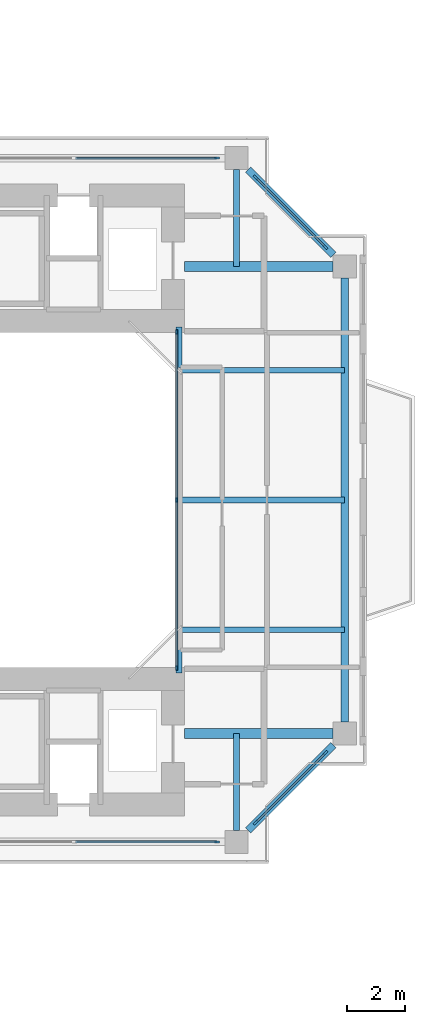
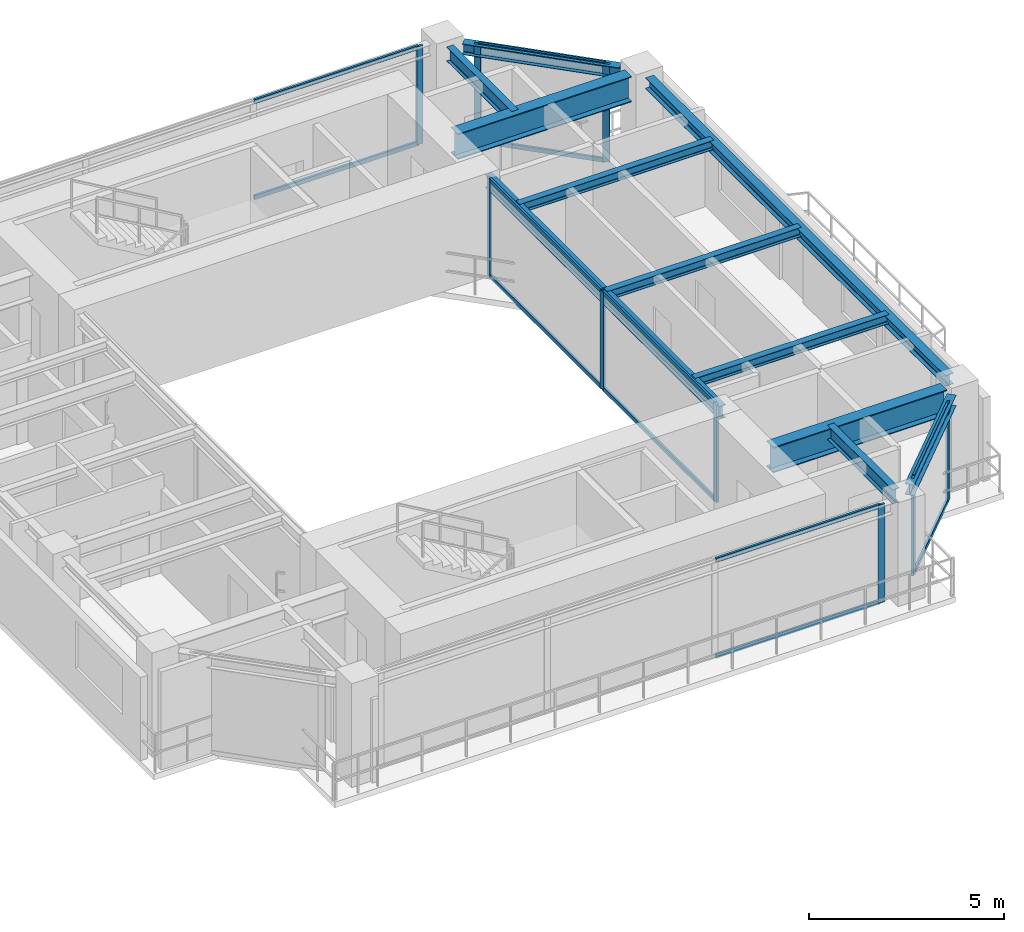
# One storey, part 10 of 23: 21 members, 11 beams, 5 elements without a shape of their own.
"""IFC4 building model written with IfcOpenShell, lengths in metres."""

from ifc_helpers import new_model, si_unit, direction, frame, origin, origin_2d, place, context, subcontext, project, spatial, rectangle, i_section, extrude, source, transform, mapped, material, layer, layer_set, material_profile, profile_set, type_object, element, aggregate, save


model = new_model("IFC4")

# Units and contexts
model_context = context("Model", 3, precision=1e-05, world=origin(), true_north=direction((0.0, 1.0)))
body_context = subcontext(model_context, "Body", "Model", "MODEL_VIEW")
ifc_project = project(units=[si_unit("LENGTHUNIT", "METRE"), si_unit("AREAUNIT", "SQUARE_METRE"), si_unit("VOLUMEUNIT", "CUBIC_METRE"), si_unit("PLANEANGLEUNIT", "RADIAN"), si_unit("MASSUNIT", "GRAM", prefix="KILO"), si_unit("THERMODYNAMICTEMPERATUREUNIT", "KELVIN"), si_unit("POWERUNIT", "WATT")], contexts=[model_context])

# Site, building, storey
site_placement = place(None, origin())
site = spatial("IfcSite", under=ifc_project, at=site_placement, CompositionType="ELEMENT")
building_placement = place(site_placement, origin())
building = spatial("IfcBuilding", under=site, at=building_placement, Name="Qiaomeng Ring Towers", CompositionType="ELEMENT")
storey_placement = place(building_placement, frame((0.0, 0.0, 103.5)))
storey = spatial("IfcBuildingStorey", under=building, at=storey_placement, Name="L29", CompositionType="ELEMENT", Elevation=103.5)

# Beams
ifc_material_1 = material(Name="Steel Q355B", Category="steel")
ifc_material_profile_1 = material_profile(ifc_material_1, i_section(OverallWidth=0.199951171875, OverallDepth=0.39990234375, WebThickness=0.008056640625, FlangeThickness=0.012939453125, FilletRadius=0.01611328125, at=origin_2d()), Name="HN 400x200x8x13")
ifc_profile_set_1 = profile_set([ifc_material_profile_1], Name="Steel Q355B")
beam_type_1 = type_object("IfcBeamType", Name="STR-BM-HN400", PredefinedType="SPANDREL", material=ifc_profile_set_1)
shared_shape_1 = source(origin(), body_context, "Body", "SweptSolid", [
    extrude(i_section(OverallWidth=0.199951171875, OverallDepth=0.39990234375, WebThickness=0.008056640625, FlangeThickness=0.012939453125, FilletRadius=0.01611328125, at=origin_2d()), origin(), (0.0, 0.0, 1.0), 12.0),
])
beam_1_placement = place(storey_placement, frame((66.60009765625, 17.0, 2.8701171875), z_axis=(0.0, 1.0, 0.0), x_axis=(-1.0, 0.0, 0.0)))
element("IfcBeam", 1, at=beam_1_placement, inside=storey, type_object=beam_type_1, Name="L29 beam STR-BM-L29-T2-WELL-E", PredefinedType="SPANDREL", context=body_context, shape_type="MappedRepresentation", body=[
    mapped(shared_shape_1, transform((0.0, 0.0, 0.0), x_axis=(1.0, 0.0, 0.0), y_axis=(0.0, 1.0, 0.0), z_axis=(0.0, 0.0, 1.0), scale=1.0)),
])
ifc_material_profile_2 = material_profile(ifc_material_1, i_section(OverallWidth=0.25, OverallDepth=0.340087890625, WebThickness=0.009033203125, FlangeThickness=0.013916015625, FilletRadius=0.02001953125, at=origin_2d()), Name="HM 340x250x9x14")
ifc_profile_set_2 = profile_set([ifc_material_profile_2], Name="Steel Q355B")
beam_type_2 = type_object("IfcBeamType", Name="STR-BM-HM340", PredefinedType="SPANDREL", material=ifc_profile_set_2)
shared_shape_2 = source(origin(), body_context, "Body", "SweptSolid", [
    extrude(i_section(OverallWidth=0.25, OverallDepth=0.340087890625, WebThickness=0.009033203125, FlangeThickness=0.013916015625, FilletRadius=0.02001953125, at=origin_2d()), origin(), (0.0, 0.0, 1.0), 15.40185546875),
])
beam_2_placement = place(storey_placement, frame((72.35009765625, 15.299072265625, 2.89990234375), z_axis=(0.0, 1.0, 0.0), x_axis=(-1.0, 0.0, 0.0)))
element("IfcBeam", 2, at=beam_2_placement, inside=storey, type_object=beam_type_2, Name="L29 beam STR-SP-L29-T2-E1-E2", PredefinedType="SPANDREL", context=body_context, shape_type="MappedRepresentation", body=[
    mapped(shared_shape_2, transform((0.0, 0.0, 0.0), x_axis=(1.0, 0.0, 0.0), y_axis=(0.0, 1.0, 0.0), z_axis=(0.0, 0.0, 1.0), scale=1.0)),
])
shared_shape_3 = source(origin(), body_context, "Body", "SweptSolid", [
    extrude(i_section(OverallWidth=0.25, OverallDepth=0.340087890625, WebThickness=0.009033203125, FlangeThickness=0.013916015625, FilletRadius=0.02001953125, at=origin_2d()), origin(), (0.0, 0.0, 1.0), 4.173828125),
])
for number, where, z_axis, x_axis, name in (
    (3, (68.999267578125, 11.54931640625, 2.89990234375), (0.707106781187, 0.707106781187, 0.0), (-0.707106781187, 0.707106781187, 0.0), "L29 beam STR-SP-L29-T2-S2-E1"),
    (4, (71.95068359375, 31.499267578125, 2.89990234375), (-0.707106781187, 0.707106781187, 0.0), (-0.707106781187, -0.707106781187, 0.0), "L29 beam STR-SP-L29-T2-E2-N2"),
):
    element("IfcBeam", number, at=place(storey_placement, frame(where, z_axis=z_axis, x_axis=x_axis)), inside=storey, type_object=beam_type_2, Name=name, PredefinedType="SPANDREL", context=body_context, shape_type="MappedRepresentation", body=[
        mapped(shared_shape_3, transform((0.0, 0.0, 0.0), x_axis=(1.0, 0.0, 0.0), y_axis=(0.0, 1.0, 0.0), z_axis=(0.0, 0.0, 1.0), scale=1.0)),
    ])
ifc_material_2 = material(Name="Steel Q390GJC", Category="steel")
ifc_material_profile_3 = material_profile(ifc_material_2, i_section(OverallWidth=0.35009765625, OverallDepth=0.800048828125, WebThickness=0.01611328125, FlangeThickness=0.028076171875, at=origin_2d()), Name="WH 800x350x16x28")
ifc_profile_set_3 = profile_set([ifc_material_profile_3], Name="Steel Q390GJC")
beam_type_3 = type_object("IfcBeamType", Name="STR-BM-WH800", PredefinedType="BEAM", material=ifc_profile_set_3)
shared_shape_4 = source(origin(), body_context, "Body", "SweptSolid", [
    extrude(i_section(OverallWidth=0.35009765625, OverallDepth=0.800048828125, WebThickness=0.01611328125, FlangeThickness=0.028076171875, at=origin_2d()), origin(), (0.0, 0.0, 1.0), 5.15087890625),
])
for number, where, z_axis, x_axis, name in (
    (5, (66.800048828125, 14.89990234375, 2.669921875), (1.0, 0.0, 0.0), (0.0, 1.0, 0.0), "L29 beam STR-BM-L29-T2-RAD-E1"),
    (6, (66.800048828125, 31.10009765625, 2.669921875), (1.0, 0.0, 0.0), (0.0, 1.0, 0.0), "L29 beam STR-BM-L29-T2-RAD-E2"),
):
    element("IfcBeam", number, at=place(storey_placement, frame(where, z_axis=z_axis, x_axis=x_axis)), inside=storey, type_object=beam_type_3, Name=name, PredefinedType="BEAM", context=body_context, shape_type="MappedRepresentation", body=[
        mapped(shared_shape_4, transform((0.0, 0.0, 0.0), x_axis=(1.0, 0.0, 0.0), y_axis=(0.0, 1.0, 0.0), z_axis=(0.0, 0.0, 1.0), scale=1.0)),
    ])
ifc_material_profile_4 = material_profile(ifc_material_1, i_section(OverallWidth=0.199951171875, OverallDepth=0.449951171875, WebThickness=0.009033203125, FlangeThickness=0.013916015625, FilletRadius=0.01806640625, at=origin_2d()), Name="HN 450x200x9x14")
ifc_profile_set_4 = profile_set([ifc_material_profile_4], Name="Steel Q355B")
beam_type_4 = type_object("IfcBeamType", Name="STR-BM-HN450", PredefinedType="SPANDREL", material=ifc_profile_set_4)
shared_shape_5 = source(origin(), body_context, "Body", "SweptSolid", [
    extrude(i_section(OverallWidth=0.199951171875, OverallDepth=0.449951171875, WebThickness=0.009033203125, FlangeThickness=0.013916015625, FilletRadius=0.01806640625, at=origin_2d()), origin(), (0.0, 0.0, 1.0), 3.350830078125),
])
for number, where, z_axis, x_axis, name in (
    (7, (68.60009765625, 34.450927734375, 2.844970703125), (0.0, -1.0, 0.0), (1.0, 0.0, 0.0), "L29 beam STR-BM-L29-T2-RAD-N2"),
    (8, (68.60009765625, 11.549072265625, 2.844970703125), (0.0, 1.0, 0.0), (-1.0, 0.0, 0.0), "L29 beam STR-BM-L29-T2-RAD-S2"),
):
    element("IfcBeam", number, at=place(storey_placement, frame(where, z_axis=z_axis, x_axis=x_axis)), inside=storey, type_object=beam_type_4, Name=name, PredefinedType="SPANDREL", context=body_context, shape_type="MappedRepresentation", body=[
        mapped(shared_shape_5, transform((0.0, 0.0, 0.0), x_axis=(1.0, 0.0, 0.0), y_axis=(0.0, 1.0, 0.0), z_axis=(0.0, 0.0, 1.0), scale=1.0)),
    ])
ifc_material_profile_5 = material_profile(ifc_material_1, i_section(OverallWidth=0.199951171875, OverallDepth=0.2939453125, WebThickness=0.008056640625, FlangeThickness=0.011962890625, FilletRadius=0.01806640625, at=origin_2d()), Name="HM 294x200x8x12")
ifc_profile_set_5 = profile_set([ifc_material_profile_5], Name="Steel Q355B")
beam_type_5 = type_object("IfcBeamType", Name="STR-BM-HM294", PredefinedType="JOIST", material=ifc_profile_set_5)
shared_shape_6 = source(origin(), body_context, "Body", "SweptSolid", [
    extrude(i_section(OverallWidth=0.199951171875, OverallDepth=0.2939453125, WebThickness=0.008056640625, FlangeThickness=0.011962890625, FilletRadius=0.01806640625, at=origin_2d()), origin(), (0.0, 0.0, 1.0), 5.75),
])
for number, where, z_axis, x_axis, name in (
    (9, (66.60009765625, 18.5, 2.923095703125), (1.0, 0.0, 0.0), (0.0, 1.0, 0.0), "L29 beam STR-JST-L29-T2E-1"),
    (10, (66.60009765625, 23.0, 2.923095703125), (1.0, 0.0, 0.0), (0.0, 1.0, 0.0), "L29 beam STR-JST-L29-T2E-2"),
    (11, (66.60009765625, 27.5, 2.923095703125), (1.0, 0.0, 0.0), (0.0, 1.0, 0.0), "L29 beam STR-JST-L29-T2E-3"),
):
    element("IfcBeam", number, at=place(storey_placement, frame(where, z_axis=z_axis, x_axis=x_axis)), inside=storey, type_object=beam_type_5, Name=name, PredefinedType="JOIST", context=body_context, shape_type="MappedRepresentation", body=[
        mapped(shared_shape_6, transform((0.0, 0.0, 0.0), x_axis=(1.0, 0.0, 0.0), y_axis=(0.0, 1.0, 0.0), z_axis=(0.0, 0.0, 1.0), scale=1.0)),
    ])

# Curtain wall, members
ifc_material_3 = material(Name="Fluorocarbon dark-grey aluminium", Category="aluminium")
ifc_layer_1 = layer(ifc_material_3, 0.139892578125, Name="Fluorocarbon dark-grey aluminium")
ifc_layer_set_1 = layer_set([ifc_layer_1], Name="Fluorocarbon dark-grey aluminium")
curtain_wall_type_1 = type_object("IfcCurtainWallType", Name="ARC-CW-4", PredefinedType="NOTDEFINED", material=ifc_layer_set_1)
curtain_wall_1_placement = place(storey_placement, origin())
curtain_wall_1 = element("IfcCurtainWall", 12, at=curtain_wall_1_placement, inside=storey, type_object=curtain_wall_type_1, Name="L29 Curtain Wall CW4", PredefinedType="NOTDEFINED")
ifc_material_profile_6 = material_profile(ifc_material_3, rectangle(XDim=0.06494140625, YDim=0.159912109375, at=origin_2d()), Name="ALU MULL 65x160")
ifc_profile_set_6 = profile_set([ifc_material_profile_6], Name="Fluorocarbon dark-grey aluminium")
member_type_1 = type_object("IfcMemberType", Name="ARC-CWM-140", PredefinedType="MULLION", material=ifc_profile_set_6)
shared_shape_7 = source(origin(), body_context, "Body", "SweptSolid", [
    extrude(rectangle(XDim=0.06494140625, YDim=0.159912109375, at=origin_2d()), origin(), (0.0, 0.0, 1.0), 3.070068359375),
])
member_1_placement = place(storey_placement, frame((66.52001953125, 17.1826171875, 0.0), z_axis=(0.0, 0.0, 1.0), x_axis=(-1.0, 0.0, 0.0)))
member_1 = element("IfcMember", 13, at=member_1_placement, type_object=member_type_1, Name="CW4 mullion 1", PredefinedType="MULLION", context=body_context, shape_type="MappedRepresentation", body=[
    mapped(shared_shape_7, transform((0.0, 0.0, 0.0), x_axis=(1.0, 0.0, 0.0), y_axis=(0.0, 1.0, 0.0), z_axis=(0.0, 0.0, 1.0), scale=1.0)),
])
member_2_placement = place(storey_placement, frame((66.52001953125, 23.0, 0.0), z_axis=(0.0, 0.0, 1.0), x_axis=(-1.0, 0.0, 0.0)))
member_2 = element("IfcMember", 14, at=member_2_placement, type_object=member_type_1, Name="CW4 mullion 2", PredefinedType="MULLION", context=body_context, shape_type="MappedRepresentation", body=[
    mapped(shared_shape_7, transform((0.0, 0.0, 0.0), x_axis=(1.0, 0.0, 0.0), y_axis=(0.0, 1.0, 0.0), z_axis=(0.0, 0.0, 1.0), scale=1.0)),
])
member_3_placement = place(storey_placement, frame((66.52001953125, 28.8173828125, 0.0), z_axis=(0.0, 0.0, 1.0), x_axis=(-1.0, 0.0, 0.0)))
member_3 = element("IfcMember", 15, at=member_3_placement, type_object=member_type_1, Name="CW4 mullion 3", PredefinedType="MULLION", context=body_context, shape_type="MappedRepresentation", body=[
    mapped(shared_shape_7, transform((0.0, 0.0, 0.0), x_axis=(1.0, 0.0, 0.0), y_axis=(0.0, 1.0, 0.0), z_axis=(0.0, 0.0, 1.0), scale=1.0)),
])
ifc_material_profile_7 = material_profile(ifc_material_3, rectangle(XDim=0.06494140625, YDim=0.1298828125, at=origin_2d()), Name="ALU TRAN 65x130")
ifc_profile_set_7 = profile_set([ifc_material_profile_7], Name="Fluorocarbon dark-grey aluminium")
member_type_2 = type_object("IfcMemberType", Name="ARC-CWT-120", PredefinedType="USERDEFINED", material=ifc_profile_set_7)
shared_shape_8 = source(origin(), body_context, "Body", "SweptSolid", [
    extrude(rectangle(XDim=0.06494140625, YDim=0.1298828125, at=origin_2d()), origin(), (0.0, 0.0, 1.0), 5.75244140625),
])
member_4_placement = place(storey_placement, frame((66.52001953125, 17.215087890625, 0.032470703125), z_axis=(0.0, 1.0, 0.0), x_axis=(-1.0, 0.0, 0.0)))
member_4 = element("IfcMember", 16, at=member_4_placement, type_object=member_type_2, Name="CW4 transom 1.1", ObjectType="TRANSOM", PredefinedType="USERDEFINED", context=body_context, shape_type="MappedRepresentation", body=[
    mapped(shared_shape_8, transform((0.0, 0.0, 0.0), x_axis=(1.0, 0.0, 0.0), y_axis=(0.0, 1.0, 0.0), z_axis=(0.0, 0.0, 1.0), scale=1.0)),
])
member_5_placement = place(storey_placement, frame((66.52001953125, 17.215087890625, 3.03759765625), z_axis=(0.0, 1.0, 0.0), x_axis=(-1.0, 0.0, 0.0)))
member_5 = element("IfcMember", 17, at=member_5_placement, type_object=member_type_2, Name="CW4 transom 1.2", ObjectType="TRANSOM", PredefinedType="USERDEFINED", context=body_context, shape_type="MappedRepresentation", body=[
    mapped(shared_shape_8, transform((0.0, 0.0, 0.0), x_axis=(1.0, 0.0, 0.0), y_axis=(0.0, 1.0, 0.0), z_axis=(0.0, 0.0, 1.0), scale=1.0)),
])
member_6_placement = place(storey_placement, frame((66.52001953125, 23.032470703125, 0.032470703125), z_axis=(0.0, 1.0, 0.0), x_axis=(-1.0, 0.0, 0.0)))
member_6 = element("IfcMember", 18, at=member_6_placement, type_object=member_type_2, Name="CW4 transom 2.1", ObjectType="TRANSOM", PredefinedType="USERDEFINED", context=body_context, shape_type="MappedRepresentation", body=[
    mapped(shared_shape_8, transform((0.0, 0.0, 0.0), x_axis=(1.0, 0.0, 0.0), y_axis=(0.0, 1.0, 0.0), z_axis=(0.0, 0.0, 1.0), scale=1.0)),
])
member_7_placement = place(storey_placement, frame((66.52001953125, 23.032470703125, 3.03759765625), z_axis=(0.0, 1.0, 0.0), x_axis=(-1.0, 0.0, 0.0)))
member_7 = element("IfcMember", 19, at=member_7_placement, type_object=member_type_2, Name="CW4 transom 2.2", ObjectType="TRANSOM", PredefinedType="USERDEFINED", context=body_context, shape_type="MappedRepresentation", body=[
    mapped(shared_shape_8, transform((0.0, 0.0, 0.0), x_axis=(1.0, 0.0, 0.0), y_axis=(0.0, 1.0, 0.0), z_axis=(0.0, 0.0, 1.0), scale=1.0)),
])
aggregate(curtain_wall_1, [member_1, member_2, member_3, member_4, member_5, member_6, member_7])

# Curtain wall, member
ifc_layer_2 = layer(ifc_material_3, 0.14990234375, Name="Fluorocarbon dark-grey aluminium")
ifc_layer_set_2 = layer_set([ifc_layer_2], Name="Fluorocarbon dark-grey aluminium")
curtain_wall_type_2 = type_object("IfcCurtainWallType", Name="ARC-CW-5", PredefinedType="NOTDEFINED", material=ifc_layer_set_2)
curtain_wall_2_placement = place(storey_placement, origin())
curtain_wall_2 = element("IfcCurtainWall", 20, at=curtain_wall_2_placement, inside=storey, type_object=curtain_wall_type_2, Name="L29 Curtain Wall CW5", PredefinedType="NOTDEFINED")
ifc_material_profile_8 = material_profile(ifc_material_3, rectangle(XDim=0.070068359375, YDim=0.179931640625, at=origin_2d()), Name="ALU MULL 70x180")
ifc_profile_set_8 = profile_set([ifc_material_profile_8], Name="Fluorocarbon dark-grey aluminium")
member_type_3 = type_object("IfcMemberType", Name="ARC-CWM-160", PredefinedType="MULLION", material=ifc_profile_set_8)
shared_shape_9 = source(origin(), body_context, "Body", "SweptSolid", [
    extrude(rectangle(XDim=0.070068359375, YDim=0.179931640625, at=origin_2d()), origin(), (0.0, 0.0, 1.0), 3.070068359375),
])
member_8_placement = place(storey_placement, frame((67.925048828125, 34.85009765625, 0.0), z_axis=(0.0, 0.0, 1.0), x_axis=(0.0, 1.0, 0.0)))
member_8 = element("IfcMember", 21, at=member_8_placement, type_object=member_type_3, Name="CW5 mullion 4", PredefinedType="MULLION", context=body_context, shape_type="MappedRepresentation", body=[
    mapped(shared_shape_9, transform((0.0, 0.0, 0.0), x_axis=(1.0, 0.0, 0.0), y_axis=(0.0, 1.0, 0.0), z_axis=(0.0, 0.0, 1.0), scale=1.0)),
])

# Curtain wall, members
curtain_wall_3_placement = place(storey_placement, origin())
curtain_wall_3 = element("IfcCurtainWall", 22, at=curtain_wall_3_placement, inside=storey, type_object=curtain_wall_type_2, Name="L29 Curtain Wall CW5", PredefinedType="NOTDEFINED")
member_9_placement = place(storey_placement, frame((69.2646484375, 11.814697265625, 0.0), z_axis=(0.0, 0.0, 1.0), x_axis=(-0.707106781187, 0.707106781187, 0.0)))
member_9 = element("IfcMember", 23, at=member_9_placement, type_object=member_type_3, Name="CW5 mullion 1", PredefinedType="MULLION", context=body_context, shape_type="MappedRepresentation", body=[
    mapped(shared_shape_9, transform((0.0, 0.0, 0.0), x_axis=(1.0, 0.0, 0.0), y_axis=(0.0, 1.0, 0.0), z_axis=(0.0, 0.0, 1.0), scale=1.0)),
])
member_10_placement = place(storey_placement, frame((71.685302734375, 14.2353515625, 0.0), z_axis=(0.0, 0.0, 1.0), x_axis=(-0.707106781187, 0.707106781187, 0.0)))
member_10 = element("IfcMember", 24, at=member_10_placement, type_object=member_type_3, Name="CW5 mullion 2", PredefinedType="MULLION", context=body_context, shape_type="MappedRepresentation", body=[
    mapped(shared_shape_9, transform((0.0, 0.0, 0.0), x_axis=(1.0, 0.0, 0.0), y_axis=(0.0, 1.0, 0.0), z_axis=(0.0, 0.0, 1.0), scale=1.0)),
])

curtain_wall_4_placement = place(storey_placement, origin())
curtain_wall_4 = element("IfcCurtainWall", 25, at=curtain_wall_4_placement, inside=storey, type_object=curtain_wall_type_2, Name="L29 Curtain Wall CW5", PredefinedType="NOTDEFINED")
member_11_placement = place(storey_placement, frame((71.685302734375, 31.7646484375, 0.0), z_axis=(0.0, 0.0, 1.0), x_axis=(-0.707106781187, -0.707106781187, 0.0)))
member_11 = element("IfcMember", 26, at=member_11_placement, type_object=member_type_3, Name="CW5 mullion 1", PredefinedType="MULLION", context=body_context, shape_type="MappedRepresentation", body=[
    mapped(shared_shape_9, transform((0.0, 0.0, 0.0), x_axis=(1.0, 0.0, 0.0), y_axis=(0.0, 1.0, 0.0), z_axis=(0.0, 0.0, 1.0), scale=1.0)),
])
member_12_placement = place(storey_placement, frame((69.2646484375, 34.185302734375, 0.0), z_axis=(0.0, 0.0, 1.0), x_axis=(-0.707106781187, -0.707106781187, 0.0)))
member_12 = element("IfcMember", 27, at=member_12_placement, type_object=member_type_3, Name="CW5 mullion 2", PredefinedType="MULLION", context=body_context, shape_type="MappedRepresentation", body=[
    mapped(shared_shape_9, transform((0.0, 0.0, 0.0), x_axis=(1.0, 0.0, 0.0), y_axis=(0.0, 1.0, 0.0), z_axis=(0.0, 0.0, 1.0), scale=1.0)),
])

# Curtain wall, member
curtain_wall_5_placement = place(storey_placement, origin())
curtain_wall_5 = element("IfcCurtainWall", 28, at=curtain_wall_5_placement, inside=storey, type_object=curtain_wall_type_2, Name="L29 Curtain Wall CW5", PredefinedType="NOTDEFINED")
member_13_placement = place(storey_placement, frame((67.925048828125, 11.14990234375, 0.0), z_axis=(0.0, 0.0, 1.0), x_axis=(0.0, 1.0, 0.0)))
member_13 = element("IfcMember", 29, at=member_13_placement, type_object=member_type_3, Name="CW5 mullion 4", PredefinedType="MULLION", context=body_context, shape_type="MappedRepresentation", body=[
    mapped(shared_shape_9, transform((0.0, 0.0, 0.0), x_axis=(1.0, 0.0, 0.0), y_axis=(0.0, 1.0, 0.0), z_axis=(0.0, 0.0, 1.0), scale=1.0)),
])

# Member
shared_shape_10 = source(origin(), body_context, "Body", "SweptSolid", [
    extrude(rectangle(XDim=0.06494140625, YDim=0.1298828125, at=origin_2d()), origin(), (0.0, 0.0, 1.0), 4.8681640625),
])
member_14_placement = place(storey_placement, frame((63.021728515625, 34.85009765625, 0.032470703125), z_axis=(1.0, 0.0, 0.0), x_axis=(0.0, 1.0, 0.0)))
member_14 = element("IfcMember", 30, at=member_14_placement, type_object=member_type_2, Name="CW5 transom 3.1", ObjectType="TRANSOM", PredefinedType="USERDEFINED", context=body_context, shape_type="MappedRepresentation", body=[
    mapped(shared_shape_10, transform((0.0, 0.0, 0.0), x_axis=(1.0, 0.0, 0.0), y_axis=(0.0, 1.0, 0.0), z_axis=(0.0, 0.0, 1.0), scale=1.0)),
])

member_15_placement = place(storey_placement, frame((63.021728515625, 34.85009765625, 3.03759765625), z_axis=(1.0, 0.0, 0.0), x_axis=(0.0, 1.0, 0.0)))
member_15 = element("IfcMember", 31, at=member_15_placement, type_object=member_type_2, Name="CW5 transom 3.2", ObjectType="TRANSOM", PredefinedType="USERDEFINED", context=body_context, shape_type="MappedRepresentation", body=[
    mapped(shared_shape_10, transform((0.0, 0.0, 0.0), x_axis=(1.0, 0.0, 0.0), y_axis=(0.0, 1.0, 0.0), z_axis=(0.0, 0.0, 1.0), scale=1.0)),
])

aggregate(curtain_wall_2, [member_8, member_14, member_15])

member_16_placement = place(storey_placement, frame((63.021728515625, 11.14990234375, 0.032470703125), z_axis=(1.0, 0.0, 0.0), x_axis=(0.0, 1.0, 0.0)))
member_16 = element("IfcMember", 32, at=member_16_placement, type_object=member_type_2, Name="CW5 transom 3.1", ObjectType="TRANSOM", PredefinedType="USERDEFINED", context=body_context, shape_type="MappedRepresentation", body=[
    mapped(shared_shape_10, transform((0.0, 0.0, 0.0), x_axis=(1.0, 0.0, 0.0), y_axis=(0.0, 1.0, 0.0), z_axis=(0.0, 0.0, 1.0), scale=1.0)),
])

member_17_placement = place(storey_placement, frame((63.021728515625, 11.14990234375, 3.03759765625), z_axis=(1.0, 0.0, 0.0), x_axis=(0.0, 1.0, 0.0)))
member_17 = element("IfcMember", 33, at=member_17_placement, type_object=member_type_2, Name="CW5 transom 3.2", ObjectType="TRANSOM", PredefinedType="USERDEFINED", context=body_context, shape_type="MappedRepresentation", body=[
    mapped(shared_shape_10, transform((0.0, 0.0, 0.0), x_axis=(1.0, 0.0, 0.0), y_axis=(0.0, 1.0, 0.0), z_axis=(0.0, 0.0, 1.0), scale=1.0)),
])

aggregate(curtain_wall_5, [member_13, member_16, member_17])

shared_shape_11 = source(origin(), body_context, "Body", "SweptSolid", [
    extrude(rectangle(XDim=0.06494140625, YDim=0.1298828125, at=origin_2d()), origin(), (0.0, 0.0, 1.0), 3.352783203125),
])
member_18_placement = place(storey_placement, frame((69.28955078125, 11.839599609375, 0.032470703125), z_axis=(0.707106781187, 0.707106781187, 0.0), x_axis=(-0.707106781187, 0.707106781187, 0.0)))
member_18 = element("IfcMember", 34, at=member_18_placement, type_object=member_type_2, Name="CW5 transom 1.1", ObjectType="TRANSOM", PredefinedType="USERDEFINED", context=body_context, shape_type="MappedRepresentation", body=[
    mapped(shared_shape_11, transform((0.0, 0.0, 0.0), x_axis=(1.0, 0.0, 0.0), y_axis=(0.0, 1.0, 0.0), z_axis=(0.0, 0.0, 1.0), scale=1.0)),
])

member_19_placement = place(storey_placement, frame((69.28955078125, 11.839599609375, 3.03759765625), z_axis=(0.707106781187, 0.707106781187, 0.0), x_axis=(-0.707106781187, 0.707106781187, 0.0)))
member_19 = element("IfcMember", 35, at=member_19_placement, type_object=member_type_2, Name="CW5 transom 1.2", ObjectType="TRANSOM", PredefinedType="USERDEFINED", context=body_context, shape_type="MappedRepresentation", body=[
    mapped(shared_shape_11, transform((0.0, 0.0, 0.0), x_axis=(1.0, 0.0, 0.0), y_axis=(0.0, 1.0, 0.0), z_axis=(0.0, 0.0, 1.0), scale=1.0)),
])

aggregate(curtain_wall_3, [member_9, member_10, member_18, member_19])

member_20_placement = place(storey_placement, frame((71.660400390625, 31.78955078125, 0.032470703125), z_axis=(-0.707106781187, 0.707106781187, 0.0), x_axis=(-0.707106781187, -0.707106781187, 0.0)))
member_20 = element("IfcMember", 36, at=member_20_placement, type_object=member_type_2, Name="CW5 transom 1.1", ObjectType="TRANSOM", PredefinedType="USERDEFINED", context=body_context, shape_type="MappedRepresentation", body=[
    mapped(shared_shape_11, transform((0.0, 0.0, 0.0), x_axis=(1.0, 0.0, 0.0), y_axis=(0.0, 1.0, 0.0), z_axis=(0.0, 0.0, 1.0), scale=1.0)),
])

member_21_placement = place(storey_placement, frame((71.660400390625, 31.78955078125, 3.03759765625), z_axis=(-0.707106781187, 0.707106781187, 0.0), x_axis=(-0.707106781187, -0.707106781187, 0.0)))
member_21 = element("IfcMember", 37, at=member_21_placement, type_object=member_type_2, Name="CW5 transom 1.2", ObjectType="TRANSOM", PredefinedType="USERDEFINED", context=body_context, shape_type="MappedRepresentation", body=[
    mapped(shared_shape_11, transform((0.0, 0.0, 0.0), x_axis=(1.0, 0.0, 0.0), y_axis=(0.0, 1.0, 0.0), z_axis=(0.0, 0.0, 1.0), scale=1.0)),
])

aggregate(curtain_wall_4, [member_11, member_12, member_20, member_21])

save(model, "model.ifc")
